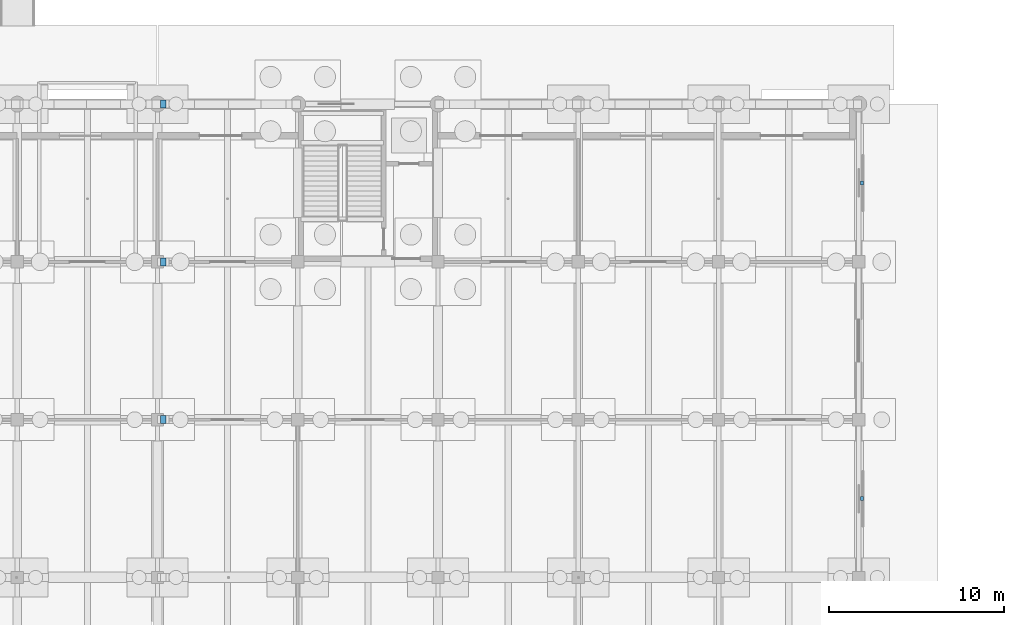
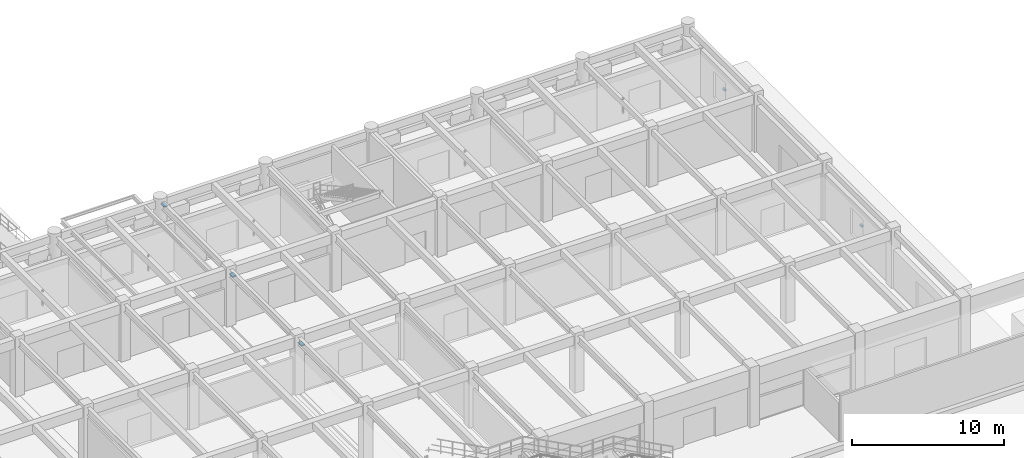
# One storey, part 133 of 147: 5 discrete accessories.
"""IFC4 building model written with IfcOpenShell, lengths in metres."""

from ifc_helpers import new_model, si_unit, direction, frame, origin, origin_2d, place, context, subcontext, project, spatial, rectangle, extrude, material, layer, layer_set, type_object, element, save


model = new_model("IFC4")

# Units and contexts
model_context = context("Model", 3, precision=1e-05, world=origin(), true_north=direction((0.0, 1.0)))
body_context = subcontext(model_context, "Body", "Model", "MODEL_VIEW")
ifc_project = project(units=[si_unit("LENGTHUNIT", "METRE"), si_unit("AREAUNIT", "SQUARE_METRE"), si_unit("VOLUMEUNIT", "CUBIC_METRE"), si_unit("PLANEANGLEUNIT", "RADIAN"), si_unit("MASSUNIT", "GRAM", prefix="KILO")], contexts=[model_context])

# Site, building, storey
site_placement = place(None, origin())
site = spatial("IfcSite", under=ifc_project, at=site_placement, CompositionType="ELEMENT")
building_placement = place(site_placement, origin())
building = spatial("IfcBuilding", under=site, at=building_placement, Name="Varnabhumi Central Station", CompositionType="ELEMENT")
storey_placement = place(building_placement, origin())
storey = spatial("IfcBuildingStorey", under=building, at=storey_placement, Name="L00", CompositionType="ELEMENT", Elevation=0.0)

# Discrete accessories
ifc_material = material(Name="Structural steel E350", Category="steel")
ifc_layer_1 = layer(ifc_material, 0.080078125, Name="Structural steel E350", Category="steel")
ifc_layer_set_1 = layer_set([ifc_layer_1], Name="Structural steel E350")
discrete_accessory_type_1 = type_object("IfcDiscreteAccessoryType", Name="ACC-BEARING-SHOE", PredefinedType="SHOE", material=ifc_layer_set_1)
for number, where, z_axis, x_axis, name in (
    (1, (120.324951171875, 98.0, 3.669921875), (0.0, 0.0, 1.0), (1.0, 0.0, 0.0), "Movement Joint Bearing L00-M-16"),
    (2, (120.324951171875, 107.0, 3.719970703125), (0.0, 0.0, 1.0), (1.0, 0.0, 0.0), "Movement Joint Bearing L00-N-16"),
    (3, (120.324951171875, 116.0, 3.869873046875), (0.0, 0.0, 1.0), (1.0, 0.0, 0.0), "Movement Joint Bearing L00-P-16"),
):
    element("IfcDiscreteAccessory", number, at=place(storey_placement, frame(where, z_axis=z_axis, x_axis=x_axis)), inside=storey, type_object=discrete_accessory_type_1, Name=name, PredefinedType="SHOE", context=body_context, shape_type="SweptSolid", body=[
        extrude(rectangle(XDim=0.300048828125, YDim=0.449951171875, at=origin_2d()), origin(), (0.0, 0.0, 1.0), 0.080078125),
    ])
ifc_layer_2 = layer(ifc_material, 0.159912109375, Name="Structural steel E350", Category="steel")
ifc_layer_set_2 = layer_set([ifc_layer_2], Name="Structural steel E350")
discrete_accessory_type_2 = type_object("IfcDiscreteAccessoryType", Name="ACC-SHADE-BRKT", PredefinedType="BRACKET", material=ifc_layer_set_2)
for number, where, z_axis, x_axis, name in (
    (4, (160.179931640625, 93.5, 1.8701171875), (0.0, 0.0, 1.0), (1.0, 0.0, 0.0), "Celosia Bracket N-L00-W2"),
    (5, (160.179931640625, 111.5, 1.8701171875), (0.0, 0.0, 1.0), (1.0, 0.0, 0.0), "Celosia Bracket N-L00-W4"),
):
    element("IfcDiscreteAccessory", number, at=place(storey_placement, frame(where, z_axis=z_axis, x_axis=x_axis)), inside=storey, type_object=discrete_accessory_type_2, Name=name, PredefinedType="BRACKET", context=body_context, shape_type="SweptSolid", body=[
        extrude(rectangle(XDim=0.159912109375, YDim=0.239990234375, at=origin_2d()), origin(), (0.0, 0.0, 1.0), 0.159912109375),
    ])

save(model, "model.ifc")
